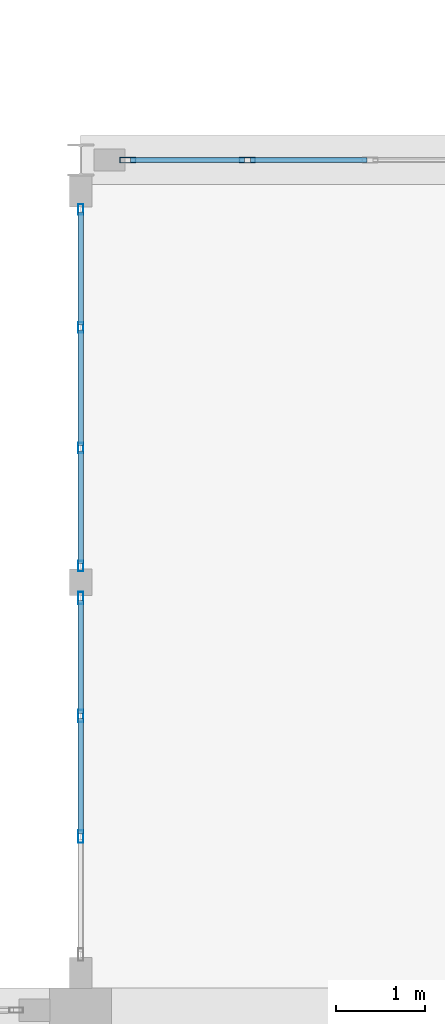
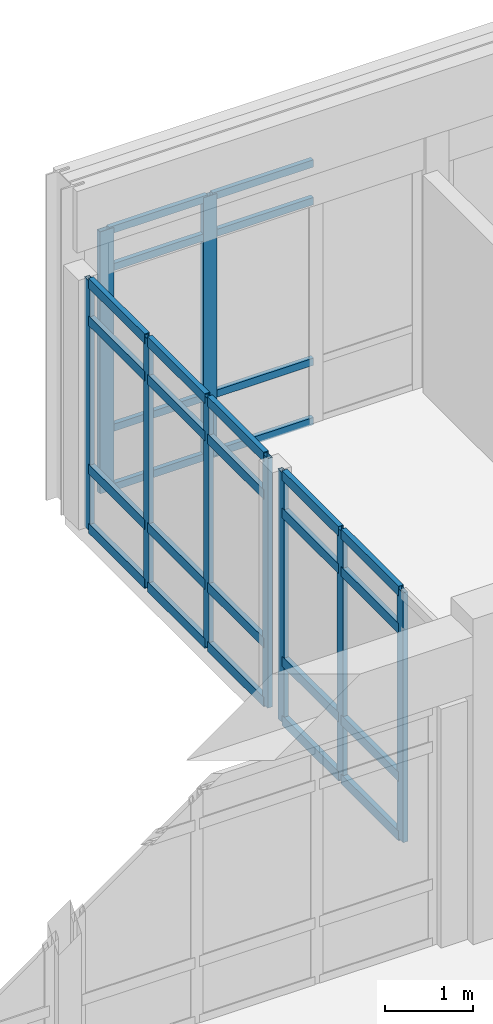
# One storey, part 38 of 80: 37 members, 3 elements without a shape of their own.
"""IFC4 building model written with IfcOpenShell, lengths in metres."""

from ifc_helpers import new_model, si_unit, direction, frame, origin, origin_2d, place, context, subcontext, project, spatial, hollow_rectangle, extrude, material, layer, layer_set, material_profile, profile_set, type_object, element, aggregate, save


model = new_model("IFC4")

# Units and contexts
model_context = context("Model", 3, precision=1e-05, world=origin(), true_north=direction((0.0, 1.0)))
body_context = subcontext(model_context, "Body", "Model", "MODEL_VIEW")
ifc_project = project(units=[si_unit("LENGTHUNIT", "METRE"), si_unit("AREAUNIT", "SQUARE_METRE"), si_unit("VOLUMEUNIT", "CUBIC_METRE"), si_unit("PLANEANGLEUNIT", "RADIAN"), si_unit("MASSUNIT", "GRAM", prefix="KILO")], contexts=[model_context])

# Site, building, storey
site_placement = place(None, origin())
site = spatial("IfcSite", under=ifc_project, at=site_placement, CompositionType="ELEMENT")
building_placement = place(site_placement, origin())
building = spatial("IfcBuilding", under=site, at=building_placement, Name="Fikremerkos Civic Library", CompositionType="ELEMENT")
storey_placement = place(building_placement, frame((0.0, 0.0, 9.89990234375)))
storey = spatial("IfcBuildingStorey", under=building, at=storey_placement, Name="L02", CompositionType="ELEMENT", Elevation=9.89990234375)

# Curtain wall, members
ifc_material = material(Name="Anodized aluminium Frame", Category="aluminium")
ifc_layer_1 = layer(ifc_material, 0.159912109375, Name="Anodized aluminium Frame")
ifc_layer_set_1 = layer_set([ifc_layer_1], Name="Anodized aluminium Frame")
curtain_wall_type_1 = type_object("IfcCurtainWallType", Name="Unitised curtain wall CW-13 3700x3200", PredefinedType="USERDEFINED", material=ifc_layer_set_1)
curtain_wall_1_placement = place(storey_placement, origin())
curtain_wall_1 = element("IfcCurtainWall", 1, at=curtain_wall_1_placement, inside=storey, type_object=curtain_wall_type_1, Name="Unitised curtain wall CW-13 L02 #175", ObjectType="UNITISED CURTAIN WALL", PredefinedType="USERDEFINED")
ifc_material_profile_1 = material_profile(ifc_material, hollow_rectangle(XDim=0.06494140625, YDim=0.179931640625, WallThickness=0.00439453125, at=origin_2d()), Name="ALU 180x65x4.5")
ifc_profile_set_1 = profile_set([ifc_material_profile_1], Name="Anodized aluminium Frame")
member_type_1 = type_object("IfcMemberType", Name="Curtain mullion CWM-01 ALU 180x65x4.5", PredefinedType="MULLION", material=ifc_profile_set_1)
member_1_placement = place(storey_placement, frame((125.33056640625, 40.800048828125, 0.0), z_axis=(0.0, 0.0, 1.0), x_axis=(0.0, 1.0, 0.0)))
member_1 = element("IfcMember", 2, at=member_1_placement, type_object=member_type_1, Name="CW-13 mullion 1", PredefinedType="MULLION", context=body_context, shape_type="SweptSolid", body=[
    extrude(hollow_rectangle(XDim=0.06494140625, YDim=0.179931640625, WallThickness=0.00439453125, at=origin_2d()), origin(), (0.0, 0.0, 1.0), 3.6201171875),
])
member_2_placement = place(storey_placement, frame((126.681884765625, 40.800048828125, 0.0), z_axis=(0.0, 0.0, 1.0), x_axis=(0.0, 1.0, 0.0)))
member_2 = element("IfcMember", 3, at=member_2_placement, type_object=member_type_1, Name="CW-13 mullion 2", PredefinedType="MULLION", context=body_context, shape_type="SweptSolid", body=[
    extrude(hollow_rectangle(XDim=0.06494140625, YDim=0.179931640625, WallThickness=0.00439453125, at=origin_2d()), origin(), (0.0, 0.0, 1.0), 3.6201171875),
])

ifc_layer_2 = layer(ifc_material, 0.159912109375, Name="Anodized aluminium Frame")
ifc_layer_set_2 = layer_set([ifc_layer_2], Name="Anodized aluminium Frame")
curtain_wall_type_2 = type_object("IfcCurtainWallType", Name="Unitised curtain wall CW-11 3200x3400", PredefinedType="USERDEFINED", material=ifc_layer_set_2)
curtain_wall_2_placement = place(storey_placement, origin())
curtain_wall_2 = element("IfcCurtainWall", 4, at=curtain_wall_2_placement, inside=storey, type_object=curtain_wall_type_2, Name="Unitised curtain wall CW-11 L02 #173", ObjectType="UNITISED CURTAIN WALL", PredefinedType="USERDEFINED")
ifc_material_profile_2 = material_profile(ifc_material, hollow_rectangle(XDim=0.06005859375, YDim=0.139892578125, WallThickness=0.00390625, at=origin_2d()), Name="ALU 140x60x4")
ifc_profile_set_2 = profile_set([ifc_material_profile_2], Name="Anodized aluminium Frame")
member_type_2 = type_object("IfcMemberType", Name="Curtain mullion CWM-03 ALU 140x60x4", PredefinedType="MULLION", material=ifc_profile_set_2)
member_3_placement = place(storey_placement, frame((124.800048828125, 33.160400390625, 0.0), z_axis=(0.0, 0.0, 1.0), x_axis=(-1.0, 0.0, 0.0)))
member_3 = element("IfcMember", 5, at=member_3_placement, type_object=member_type_2, Name="CW-11 mullion 2", PredefinedType="MULLION", context=body_context, shape_type="SweptSolid", body=[
    extrude(hollow_rectangle(XDim=0.06005859375, YDim=0.139892578125, WallThickness=0.00390625, at=origin_2d()), origin(), (0.0, 0.0, 1.0), 3.4501953125),
])
member_4_placement = place(storey_placement, frame((124.800048828125, 34.522705078125, 0.0), z_axis=(0.0, 0.0, 1.0), x_axis=(-1.0, 0.0, 0.0)))
member_4 = element("IfcMember", 6, at=member_4_placement, type_object=member_type_2, Name="CW-11 mullion 3", PredefinedType="MULLION", context=body_context, shape_type="SweptSolid", body=[
    extrude(hollow_rectangle(XDim=0.06005859375, YDim=0.139892578125, WallThickness=0.00390625, at=origin_2d()), origin(), (0.0, 0.0, 1.0), 3.4501953125),
])
member_5_placement = place(storey_placement, frame((124.800048828125, 35.85498046875, 0.0), z_axis=(0.0, 0.0, 1.0), x_axis=(-1.0, 0.0, 0.0)))
member_5 = element("IfcMember", 7, at=member_5_placement, type_object=member_type_2, Name="CW-11 mullion 4", PredefinedType="MULLION", context=body_context, shape_type="SweptSolid", body=[
    extrude(hollow_rectangle(XDim=0.06005859375, YDim=0.139892578125, WallThickness=0.00390625, at=origin_2d()), origin(), (0.0, 0.0, 1.0), 3.4501953125),
])

ifc_layer_3 = layer(ifc_material, 0.159912109375, Name="Anodized aluminium Frame")
ifc_layer_set_3 = layer_set([ifc_layer_3], Name="Anodized aluminium Frame")
curtain_wall_type_3 = type_object("IfcCurtainWallType", Name="Unitised curtain wall CW-12 4300x3400", PredefinedType="USERDEFINED", material=ifc_layer_set_3)
curtain_wall_3_placement = place(storey_placement, origin())
curtain_wall_3 = element("IfcCurtainWall", 8, at=curtain_wall_3_placement, inside=storey, type_object=curtain_wall_type_3, Name="Unitised curtain wall CW-12 L02 #174", ObjectType="UNITISED CURTAIN WALL", PredefinedType="USERDEFINED")
ifc_material_profile_3 = material_profile(ifc_material, hollow_rectangle(XDim=0.06005859375, YDim=0.1201171875, WallThickness=0.00390625, at=origin_2d()), Name="ALU 120x60x4")
ifc_profile_set_3 = profile_set([ifc_material_profile_3], Name="Anodized aluminium Frame")
member_type_3 = type_object("IfcMemberType", Name="Curtain mullion CWM-04 ALU 120x60x4", PredefinedType="MULLION", material=ifc_profile_set_3)
member_6_placement = place(storey_placement, frame((124.800048828125, 36.215087890625, 0.0), z_axis=(0.0, 0.0, 1.0), x_axis=(-1.0, 0.0, 0.0)))
member_6 = element("IfcMember", 9, at=member_6_placement, type_object=member_type_3, Name="CW-12 mullion 1", PredefinedType="MULLION", context=body_context, shape_type="SweptSolid", body=[
    extrude(hollow_rectangle(XDim=0.06005859375, YDim=0.1201171875, WallThickness=0.00390625, at=origin_2d()), origin(), (0.0, 0.0, 1.0), 3.4501953125),
])
member_7_placement = place(storey_placement, frame((124.800048828125, 37.54736328125, 0.0), z_axis=(0.0, 0.0, 1.0), x_axis=(-1.0, 0.0, 0.0)))
member_7 = element("IfcMember", 10, at=member_7_placement, type_object=member_type_3, Name="CW-12 mullion 2", PredefinedType="MULLION", context=body_context, shape_type="SweptSolid", body=[
    extrude(hollow_rectangle(XDim=0.06005859375, YDim=0.1201171875, WallThickness=0.00390625, at=origin_2d()), origin(), (0.0, 0.0, 1.0), 3.4501953125),
])
member_8_placement = place(storey_placement, frame((124.800048828125, 38.90966796875, 0.0), z_axis=(0.0, 0.0, 1.0), x_axis=(-1.0, 0.0, 0.0)))
member_8 = element("IfcMember", 11, at=member_8_placement, type_object=member_type_3, Name="CW-12 mullion 3", PredefinedType="MULLION", context=body_context, shape_type="SweptSolid", body=[
    extrude(hollow_rectangle(XDim=0.06005859375, YDim=0.1201171875, WallThickness=0.00390625, at=origin_2d()), origin(), (0.0, 0.0, 1.0), 3.4501953125),
])
member_9_placement = place(storey_placement, frame((124.800048828125, 40.241943359375, 0.0), z_axis=(0.0, 0.0, 1.0), x_axis=(-1.0, 0.0, 0.0)))
member_9 = element("IfcMember", 12, at=member_9_placement, type_object=member_type_3, Name="CW-12 mullion 4", PredefinedType="MULLION", context=body_context, shape_type="SweptSolid", body=[
    extrude(hollow_rectangle(XDim=0.06005859375, YDim=0.1201171875, WallThickness=0.00390625, at=origin_2d()), origin(), (0.0, 0.0, 1.0), 3.4501953125),
])

# Member
ifc_material_profile_4 = material_profile(ifc_material, hollow_rectangle(XDim=0.06494140625, YDim=0.135009765625, WallThickness=0.00439453125, at=origin_2d()), Name="ALU 135x65x4.5")
ifc_profile_set_4 = profile_set([ifc_material_profile_4], Name="Anodized aluminium Frame")
member_type_4 = type_object("IfcMemberType", Name="Curtain transom CWT-02 ALU 135x65x4.5", PredefinedType="USERDEFINED", material=ifc_profile_set_4)
member_10_placement = place(storey_placement, frame((124.800048828125, 33.1904296875, 0.03271484375), z_axis=(0.0, 1.0, 0.0), x_axis=(-1.0, 0.0, 0.0)))
member_10 = element("IfcMember", 13, at=member_10_placement, type_object=member_type_4, Name="CW-11 transom 2.1", ObjectType="TRANSOM", PredefinedType="USERDEFINED", context=body_context, shape_type="SweptSolid", body=[
    extrude(hollow_rectangle(XDim=0.06494140625, YDim=0.135009765625, WallThickness=0.00439453125, at=origin_2d()), origin(), (0.0, 0.0, 1.0), 1.30224609375),
])

member_11_placement = place(storey_placement, frame((124.800048828125, 33.1904296875, 0.85009765625), z_axis=(0.0, 1.0, 0.0), x_axis=(-1.0, 0.0, 0.0)))
member_11 = element("IfcMember", 14, at=member_11_placement, type_object=member_type_4, Name="CW-11 transom 2.2", ObjectType="TRANSOM", PredefinedType="USERDEFINED", context=body_context, shape_type="SweptSolid", body=[
    extrude(hollow_rectangle(XDim=0.06494140625, YDim=0.135009765625, WallThickness=0.00439453125, at=origin_2d()), origin(), (0.0, 0.0, 1.0), 1.30224609375),
])

member_12_placement = place(storey_placement, frame((124.800048828125, 33.1904296875, 2.900146484375), z_axis=(0.0, 1.0, 0.0), x_axis=(-1.0, 0.0, 0.0)))
member_12 = element("IfcMember", 15, at=member_12_placement, type_object=member_type_4, Name="CW-11 transom 2.3", ObjectType="TRANSOM", PredefinedType="USERDEFINED", context=body_context, shape_type="SweptSolid", body=[
    extrude(hollow_rectangle(XDim=0.06494140625, YDim=0.135009765625, WallThickness=0.00439453125, at=origin_2d()), origin(), (0.0, 0.0, 1.0), 1.30224609375),
])

member_13_placement = place(storey_placement, frame((124.800048828125, 33.1904296875, 3.41748046875), z_axis=(0.0, 1.0, 0.0), x_axis=(-1.0, 0.0, 0.0)))
member_13 = element("IfcMember", 16, at=member_13_placement, type_object=member_type_4, Name="CW-11 transom 2.4", ObjectType="TRANSOM", PredefinedType="USERDEFINED", context=body_context, shape_type="SweptSolid", body=[
    extrude(hollow_rectangle(XDim=0.06494140625, YDim=0.135009765625, WallThickness=0.00439453125, at=origin_2d()), origin(), (0.0, 0.0, 1.0), 1.30224609375),
])

member_14_placement = place(storey_placement, frame((124.800048828125, 34.552734375, 0.03271484375), z_axis=(0.0, 1.0, 0.0), x_axis=(-1.0, 0.0, 0.0)))
member_14 = element("IfcMember", 17, at=member_14_placement, type_object=member_type_4, Name="CW-11 transom 3.1", ObjectType="TRANSOM", PredefinedType="USERDEFINED", context=body_context, shape_type="SweptSolid", body=[
    extrude(hollow_rectangle(XDim=0.06494140625, YDim=0.135009765625, WallThickness=0.00439453125, at=origin_2d()), origin(), (0.0, 0.0, 1.0), 1.272216796875),
])

member_15_placement = place(storey_placement, frame((124.800048828125, 34.552734375, 0.85009765625), z_axis=(0.0, 1.0, 0.0), x_axis=(-1.0, 0.0, 0.0)))
member_15 = element("IfcMember", 18, at=member_15_placement, type_object=member_type_4, Name="CW-11 transom 3.2", ObjectType="TRANSOM", PredefinedType="USERDEFINED", context=body_context, shape_type="SweptSolid", body=[
    extrude(hollow_rectangle(XDim=0.06494140625, YDim=0.135009765625, WallThickness=0.00439453125, at=origin_2d()), origin(), (0.0, 0.0, 1.0), 1.272216796875),
])

member_16_placement = place(storey_placement, frame((124.800048828125, 34.552734375, 2.900146484375), z_axis=(0.0, 1.0, 0.0), x_axis=(-1.0, 0.0, 0.0)))
member_16 = element("IfcMember", 19, at=member_16_placement, type_object=member_type_4, Name="CW-11 transom 3.3", ObjectType="TRANSOM", PredefinedType="USERDEFINED", context=body_context, shape_type="SweptSolid", body=[
    extrude(hollow_rectangle(XDim=0.06494140625, YDim=0.135009765625, WallThickness=0.00439453125, at=origin_2d()), origin(), (0.0, 0.0, 1.0), 1.272216796875),
])

member_17_placement = place(storey_placement, frame((124.800048828125, 34.552734375, 3.41748046875), z_axis=(0.0, 1.0, 0.0), x_axis=(-1.0, 0.0, 0.0)))
member_17 = element("IfcMember", 20, at=member_17_placement, type_object=member_type_4, Name="CW-11 transom 3.4", ObjectType="TRANSOM", PredefinedType="USERDEFINED", context=body_context, shape_type="SweptSolid", body=[
    extrude(hollow_rectangle(XDim=0.06494140625, YDim=0.135009765625, WallThickness=0.00439453125, at=origin_2d()), origin(), (0.0, 0.0, 1.0), 1.272216796875),
])

aggregate(curtain_wall_2, [member_3, member_4, member_5, member_10, member_11, member_12, member_13, member_14, member_15, member_16, member_17])

member_18_placement = place(storey_placement, frame((124.800048828125, 36.2451171875, 0.03271484375), z_axis=(0.0, 1.0, 0.0), x_axis=(-1.0, 0.0, 0.0)))
member_18 = element("IfcMember", 21, at=member_18_placement, type_object=member_type_4, Name="CW-12 transom 1.1", ObjectType="TRANSOM", PredefinedType="USERDEFINED", context=body_context, shape_type="SweptSolid", body=[
    extrude(hollow_rectangle(XDim=0.06494140625, YDim=0.135009765625, WallThickness=0.00439453125, at=origin_2d()), origin(), (0.0, 0.0, 1.0), 1.272216796875),
])

member_19_placement = place(storey_placement, frame((124.800048828125, 36.2451171875, 0.85009765625), z_axis=(0.0, 1.0, 0.0), x_axis=(-1.0, 0.0, 0.0)))
member_19 = element("IfcMember", 22, at=member_19_placement, type_object=member_type_4, Name="CW-12 transom 1.2", ObjectType="TRANSOM", PredefinedType="USERDEFINED", context=body_context, shape_type="SweptSolid", body=[
    extrude(hollow_rectangle(XDim=0.06494140625, YDim=0.135009765625, WallThickness=0.00439453125, at=origin_2d()), origin(), (0.0, 0.0, 1.0), 1.272216796875),
])

member_20_placement = place(storey_placement, frame((124.800048828125, 36.2451171875, 2.900146484375), z_axis=(0.0, 1.0, 0.0), x_axis=(-1.0, 0.0, 0.0)))
member_20 = element("IfcMember", 23, at=member_20_placement, type_object=member_type_4, Name="CW-12 transom 1.3", ObjectType="TRANSOM", PredefinedType="USERDEFINED", context=body_context, shape_type="SweptSolid", body=[
    extrude(hollow_rectangle(XDim=0.06494140625, YDim=0.135009765625, WallThickness=0.00439453125, at=origin_2d()), origin(), (0.0, 0.0, 1.0), 1.272216796875),
])

member_21_placement = place(storey_placement, frame((124.800048828125, 36.2451171875, 3.41748046875), z_axis=(0.0, 1.0, 0.0), x_axis=(-1.0, 0.0, 0.0)))
member_21 = element("IfcMember", 24, at=member_21_placement, type_object=member_type_4, Name="CW-12 transom 1.4", ObjectType="TRANSOM", PredefinedType="USERDEFINED", context=body_context, shape_type="SweptSolid", body=[
    extrude(hollow_rectangle(XDim=0.06494140625, YDim=0.135009765625, WallThickness=0.00439453125, at=origin_2d()), origin(), (0.0, 0.0, 1.0), 1.272216796875),
])

member_22_placement = place(storey_placement, frame((124.800048828125, 37.577392578125, 0.03271484375), z_axis=(0.0, 1.0, 0.0), x_axis=(-1.0, 0.0, 0.0)))
member_22 = element("IfcMember", 25, at=member_22_placement, type_object=member_type_4, Name="CW-12 transom 2.1", ObjectType="TRANSOM", PredefinedType="USERDEFINED", context=body_context, shape_type="SweptSolid", body=[
    extrude(hollow_rectangle(XDim=0.06494140625, YDim=0.135009765625, WallThickness=0.00439453125, at=origin_2d()), origin(), (0.0, 0.0, 1.0), 1.30224609375),
])

member_23_placement = place(storey_placement, frame((124.800048828125, 37.577392578125, 0.85009765625), z_axis=(0.0, 1.0, 0.0), x_axis=(-1.0, 0.0, 0.0)))
member_23 = element("IfcMember", 26, at=member_23_placement, type_object=member_type_4, Name="CW-12 transom 2.2", ObjectType="TRANSOM", PredefinedType="USERDEFINED", context=body_context, shape_type="SweptSolid", body=[
    extrude(hollow_rectangle(XDim=0.06494140625, YDim=0.135009765625, WallThickness=0.00439453125, at=origin_2d()), origin(), (0.0, 0.0, 1.0), 1.30224609375),
])

member_24_placement = place(storey_placement, frame((124.800048828125, 37.577392578125, 2.900146484375), z_axis=(0.0, 1.0, 0.0), x_axis=(-1.0, 0.0, 0.0)))
member_24 = element("IfcMember", 27, at=member_24_placement, type_object=member_type_4, Name="CW-12 transom 2.3", ObjectType="TRANSOM", PredefinedType="USERDEFINED", context=body_context, shape_type="SweptSolid", body=[
    extrude(hollow_rectangle(XDim=0.06494140625, YDim=0.135009765625, WallThickness=0.00439453125, at=origin_2d()), origin(), (0.0, 0.0, 1.0), 1.30224609375),
])

member_25_placement = place(storey_placement, frame((124.800048828125, 37.577392578125, 3.41748046875), z_axis=(0.0, 1.0, 0.0), x_axis=(-1.0, 0.0, 0.0)))
member_25 = element("IfcMember", 28, at=member_25_placement, type_object=member_type_4, Name="CW-12 transom 2.4", ObjectType="TRANSOM", PredefinedType="USERDEFINED", context=body_context, shape_type="SweptSolid", body=[
    extrude(hollow_rectangle(XDim=0.06494140625, YDim=0.135009765625, WallThickness=0.00439453125, at=origin_2d()), origin(), (0.0, 0.0, 1.0), 1.30224609375),
])

member_26_placement = place(storey_placement, frame((124.800048828125, 38.939697265625, 0.03271484375), z_axis=(0.0, 1.0, 0.0), x_axis=(-1.0, 0.0, 0.0)))
member_26 = element("IfcMember", 29, at=member_26_placement, type_object=member_type_4, Name="CW-12 transom 3.1", ObjectType="TRANSOM", PredefinedType="USERDEFINED", context=body_context, shape_type="SweptSolid", body=[
    extrude(hollow_rectangle(XDim=0.06494140625, YDim=0.135009765625, WallThickness=0.00439453125, at=origin_2d()), origin(), (0.0, 0.0, 1.0), 1.272216796875),
])

member_27_placement = place(storey_placement, frame((124.800048828125, 38.939697265625, 0.85009765625), z_axis=(0.0, 1.0, 0.0), x_axis=(-1.0, 0.0, 0.0)))
member_27 = element("IfcMember", 30, at=member_27_placement, type_object=member_type_4, Name="CW-12 transom 3.2", ObjectType="TRANSOM", PredefinedType="USERDEFINED", context=body_context, shape_type="SweptSolid", body=[
    extrude(hollow_rectangle(XDim=0.06494140625, YDim=0.135009765625, WallThickness=0.00439453125, at=origin_2d()), origin(), (0.0, 0.0, 1.0), 1.272216796875),
])

member_28_placement = place(storey_placement, frame((124.800048828125, 38.939697265625, 2.900146484375), z_axis=(0.0, 1.0, 0.0), x_axis=(-1.0, 0.0, 0.0)))
member_28 = element("IfcMember", 31, at=member_28_placement, type_object=member_type_4, Name="CW-12 transom 3.3", ObjectType="TRANSOM", PredefinedType="USERDEFINED", context=body_context, shape_type="SweptSolid", body=[
    extrude(hollow_rectangle(XDim=0.06494140625, YDim=0.135009765625, WallThickness=0.00439453125, at=origin_2d()), origin(), (0.0, 0.0, 1.0), 1.272216796875),
])

member_29_placement = place(storey_placement, frame((124.800048828125, 38.939697265625, 3.41748046875), z_axis=(0.0, 1.0, 0.0), x_axis=(-1.0, 0.0, 0.0)))
member_29 = element("IfcMember", 32, at=member_29_placement, type_object=member_type_4, Name="CW-12 transom 3.4", ObjectType="TRANSOM", PredefinedType="USERDEFINED", context=body_context, shape_type="SweptSolid", body=[
    extrude(hollow_rectangle(XDim=0.06494140625, YDim=0.135009765625, WallThickness=0.00439453125, at=origin_2d()), origin(), (0.0, 0.0, 1.0), 1.272216796875),
])

aggregate(curtain_wall_3, [member_6, member_7, member_8, member_9, member_18, member_19, member_20, member_21, member_22, member_23, member_24, member_25, member_26, member_27, member_28, member_29])

ifc_material_profile_5 = material_profile(ifc_material, hollow_rectangle(XDim=0.06005859375, YDim=0.10009765625, WallThickness=0.00390625, at=origin_2d()), Name="ALU 100x60x4")
ifc_profile_set_5 = profile_set([ifc_material_profile_5], Name="Anodized aluminium Frame")
member_type_5 = type_object("IfcMemberType", Name="Curtain transom CWT-03 ALU 100x60x4", PredefinedType="USERDEFINED", material=ifc_profile_set_5)
member_30_placement = place(storey_placement, frame((125.363037109375, 40.800048828125, 0.030029296875), z_axis=(1.0, 0.0, 0.0), x_axis=(0.0, 1.0, 0.0)))
member_30 = element("IfcMember", 33, at=member_30_placement, type_object=member_type_5, Name="CW-13 transom 1.1", ObjectType="TRANSOM", PredefinedType="USERDEFINED", context=body_context, shape_type="SweptSolid", body=[
    extrude(hollow_rectangle(XDim=0.06005859375, YDim=0.10009765625, WallThickness=0.00390625, at=origin_2d()), origin(), (0.0, 0.0, 1.0), 1.286376953125),
])

member_31_placement = place(storey_placement, frame((125.363037109375, 40.800048828125, 0.85009765625), z_axis=(1.0, 0.0, 0.0), x_axis=(0.0, 1.0, 0.0)))
member_31 = element("IfcMember", 34, at=member_31_placement, type_object=member_type_5, Name="CW-13 transom 1.2", ObjectType="TRANSOM", PredefinedType="USERDEFINED", context=body_context, shape_type="SweptSolid", body=[
    extrude(hollow_rectangle(XDim=0.06005859375, YDim=0.10009765625, WallThickness=0.00390625, at=origin_2d()), origin(), (0.0, 0.0, 1.0), 1.286376953125),
])

member_32_placement = place(storey_placement, frame((125.363037109375, 40.800048828125, 3.070068359375), z_axis=(1.0, 0.0, 0.0), x_axis=(0.0, 1.0, 0.0)))
member_32 = element("IfcMember", 35, at=member_32_placement, type_object=member_type_5, Name="CW-13 transom 1.3", ObjectType="TRANSOM", PredefinedType="USERDEFINED", context=body_context, shape_type="SweptSolid", body=[
    extrude(hollow_rectangle(XDim=0.06005859375, YDim=0.10009765625, WallThickness=0.00390625, at=origin_2d()), origin(), (0.0, 0.0, 1.0), 1.286376953125),
])

member_33_placement = place(storey_placement, frame((125.363037109375, 40.800048828125, 3.590087890625), z_axis=(1.0, 0.0, 0.0), x_axis=(0.0, 1.0, 0.0)))
member_33 = element("IfcMember", 36, at=member_33_placement, type_object=member_type_5, Name="CW-13 transom 1.4", ObjectType="TRANSOM", PredefinedType="USERDEFINED", context=body_context, shape_type="SweptSolid", body=[
    extrude(hollow_rectangle(XDim=0.06005859375, YDim=0.10009765625, WallThickness=0.00390625, at=origin_2d()), origin(), (0.0, 0.0, 1.0), 1.286376953125),
])

member_34_placement = place(storey_placement, frame((126.714599609375, 40.800048828125, 0.030029296875), z_axis=(1.0, 0.0, 0.0), x_axis=(0.0, 1.0, 0.0)))
member_34 = element("IfcMember", 37, at=member_34_placement, type_object=member_type_5, Name="CW-13 transom 2.1", ObjectType="TRANSOM", PredefinedType="USERDEFINED", context=body_context, shape_type="SweptSolid", body=[
    extrude(hollow_rectangle(XDim=0.06005859375, YDim=0.10009765625, WallThickness=0.00390625, at=origin_2d()), origin(), (0.0, 0.0, 1.0), 1.31884765625),
])

member_35_placement = place(storey_placement, frame((126.714599609375, 40.800048828125, 0.85009765625), z_axis=(1.0, 0.0, 0.0), x_axis=(0.0, 1.0, 0.0)))
member_35 = element("IfcMember", 38, at=member_35_placement, type_object=member_type_5, Name="CW-13 transom 2.2", ObjectType="TRANSOM", PredefinedType="USERDEFINED", context=body_context, shape_type="SweptSolid", body=[
    extrude(hollow_rectangle(XDim=0.06005859375, YDim=0.10009765625, WallThickness=0.00390625, at=origin_2d()), origin(), (0.0, 0.0, 1.0), 1.31884765625),
])

member_36_placement = place(storey_placement, frame((126.714599609375, 40.800048828125, 3.070068359375), z_axis=(1.0, 0.0, 0.0), x_axis=(0.0, 1.0, 0.0)))
member_36 = element("IfcMember", 39, at=member_36_placement, type_object=member_type_5, Name="CW-13 transom 2.3", ObjectType="TRANSOM", PredefinedType="USERDEFINED", context=body_context, shape_type="SweptSolid", body=[
    extrude(hollow_rectangle(XDim=0.06005859375, YDim=0.10009765625, WallThickness=0.00390625, at=origin_2d()), origin(), (0.0, 0.0, 1.0), 1.31884765625),
])

member_37_placement = place(storey_placement, frame((126.714599609375, 40.800048828125, 3.590087890625), z_axis=(1.0, 0.0, 0.0), x_axis=(0.0, 1.0, 0.0)))
member_37 = element("IfcMember", 40, at=member_37_placement, type_object=member_type_5, Name="CW-13 transom 2.4", ObjectType="TRANSOM", PredefinedType="USERDEFINED", context=body_context, shape_type="SweptSolid", body=[
    extrude(hollow_rectangle(XDim=0.06005859375, YDim=0.10009765625, WallThickness=0.00390625, at=origin_2d()), origin(), (0.0, 0.0, 1.0), 1.31884765625),
])

aggregate(curtain_wall_1, [member_1, member_2, member_30, member_31, member_32, member_33, member_34, member_35, member_36, member_37])

save(model, "model.ifc")
